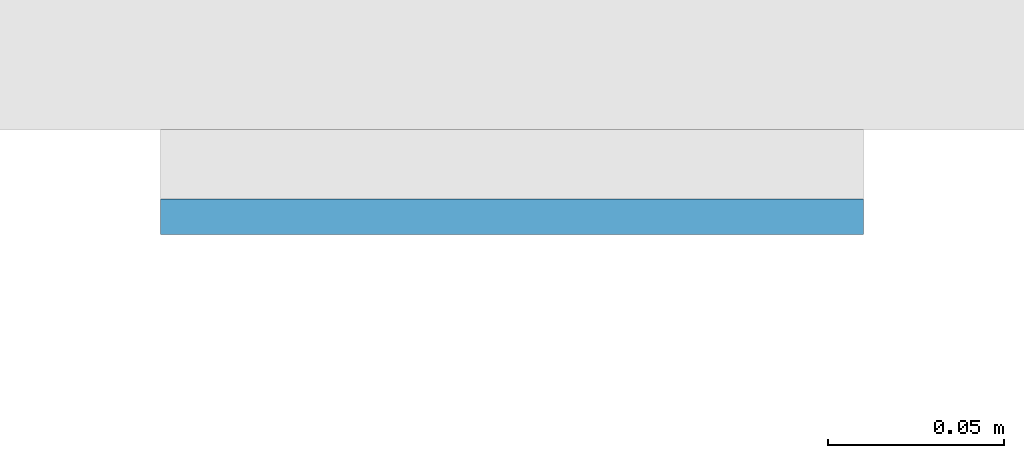
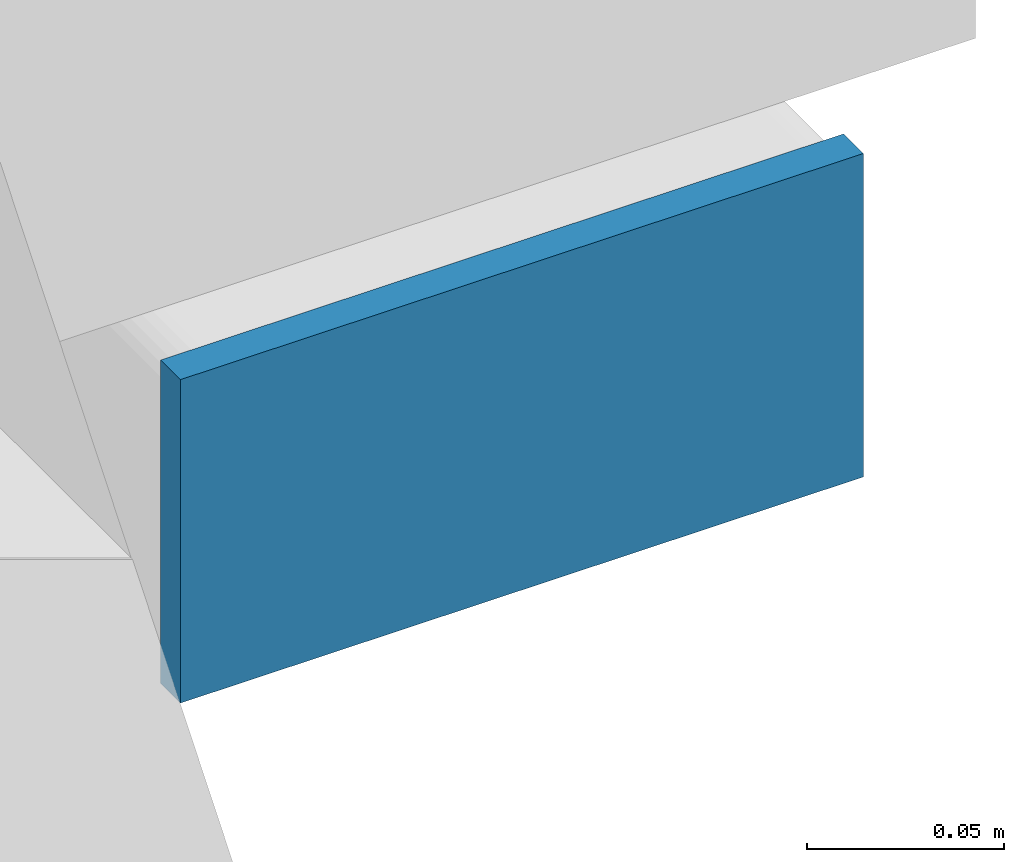
# One storey, part 10 of 20: 1 plate.
"""IFC4 building model written with IfcOpenShell, lengths in metres."""

from ifc_helpers import new_model, si_unit, direction, frame, origin, origin_2d, place, context, subcontext, project, spatial, rectangle, extrude, material, layer, layer_set, type_object, element, save


model = new_model("IFC4")

# Units and contexts
model_context = context("Model", 3, precision=1e-05, world=origin(), true_north=direction((0.0, 1.0)))
body_context = subcontext(model_context, "Body", "Model", "MODEL_VIEW")
ifc_project = project(units=[si_unit("LENGTHUNIT", "METRE"), si_unit("AREAUNIT", "SQUARE_METRE"), si_unit("VOLUMEUNIT", "CUBIC_METRE"), si_unit("PLANEANGLEUNIT", "RADIAN"), si_unit("MASSUNIT", "GRAM", prefix="KILO")], contexts=[model_context])

# Site, building, storey
site_placement = place(None, origin())
site = spatial("IfcSite", under=ifc_project, at=site_placement, CompositionType="ELEMENT")
building_placement = place(site_placement, origin())
building = spatial("IfcBuilding", under=site, at=building_placement, Name="Cleftline Residences", CompositionType="ELEMENT")
storey_placement = place(building_placement, frame((0.0, 0.0, 83.60009765625)))
storey = spatial("IfcBuildingStorey", under=building, at=storey_placement, Name="L21", CompositionType="ELEMENT", Elevation=83.60009765625)

# Plate
ifc_material = material(Name="Steel S355, hot-dip galvanised", Category="steel")
ifc_layer = layer(ifc_material, 0.010009765625)
ifc_layer_set = layer_set([ifc_layer], Name="BAGUETTE CARRIER END PLATE 200X100X10")
plate_type = type_object("IfcPlateType", Name="BAGUETTE CARRIER END PLATE 200X100X10", PredefinedType="USERDEFINED", material=ifc_layer_set)
plate_placement = place(storey_placement, frame((66.85009765625, 3.695068359375, -0.10009765625), z_axis=(0.0, 0.0, 1.0), x_axis=(1.0, 0.0, 0.0)))
element("IfcPlate", 1, at=plate_placement, inside=storey, type_object=plate_type, Name="Baguette carrier end plate", ObjectType="BAGUETTE CARRIER END PLATE", PredefinedType="USERDEFINED", context=body_context, shape_type="SweptSolid", body=[
    extrude(rectangle(XDim=0.199951171875, YDim=0.010009765625, at=origin_2d()), origin(), (0.0, 0.0, 1.0), 0.10009765625),
])

save(model, "model.ifc")
